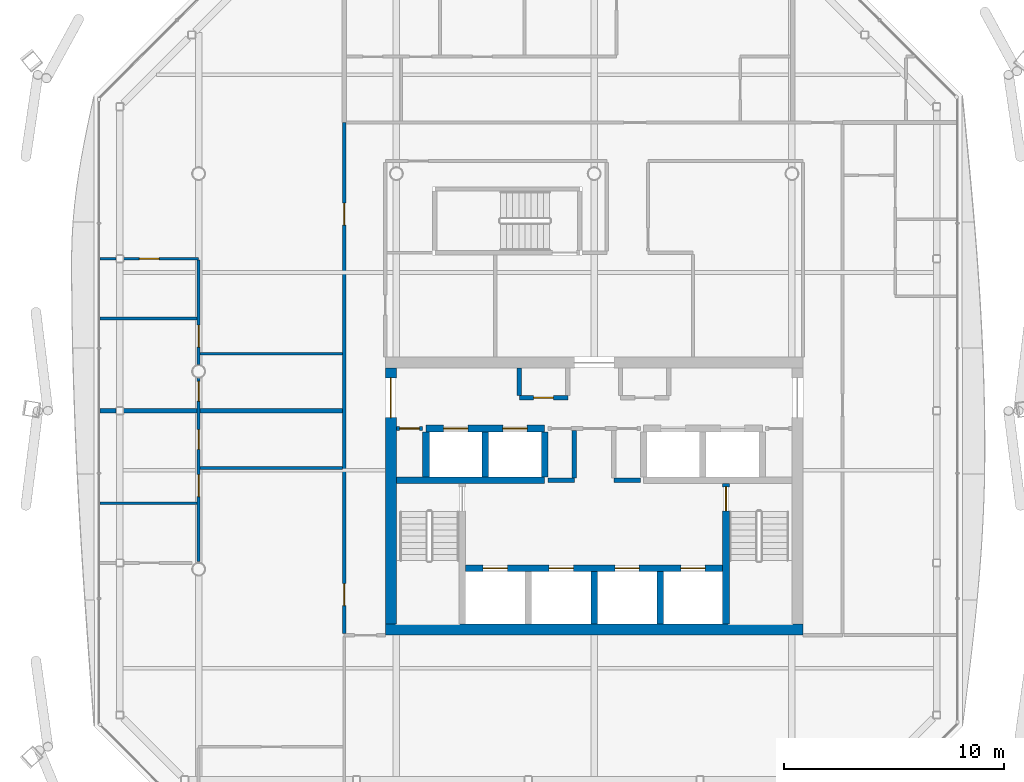
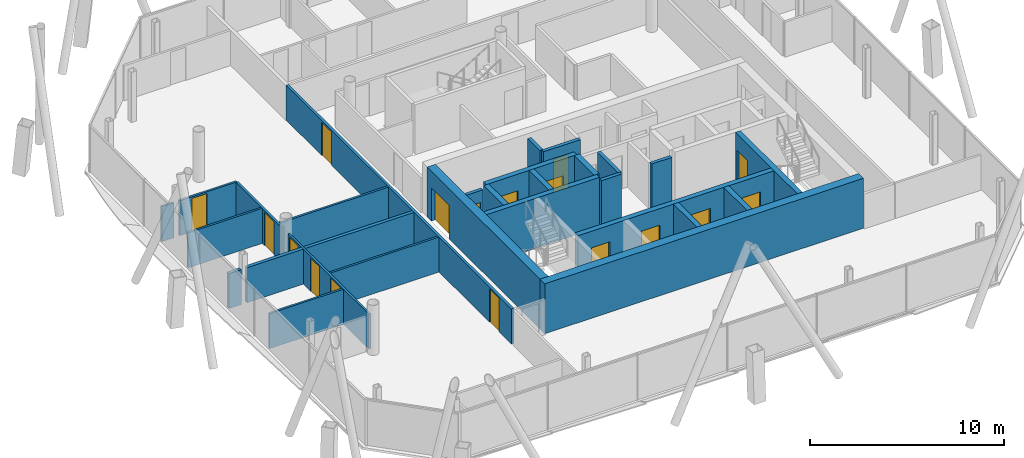
# One storey, part 14 of 20: 28 walls, 17 doors, 17 openings.
"""IFC4 building model written with IfcOpenShell, lengths in metres."""

from ifc_helpers import new_model, si_unit, direction, frame, frame_2d, origin, place, context, subcontext, project, spatial, rectangle, extrude, material, layer, layer_set, type_object, element, fill, save


model = new_model("IFC4")

# Units and contexts
model_context = context("Model", 3, precision=1e-05, world=origin(), true_north=direction((0.0, 1.0)))
body_context = subcontext(model_context, "Body", "Model", "MODEL_VIEW")
ifc_project = project(units=[si_unit("LENGTHUNIT", "METRE"), si_unit("AREAUNIT", "SQUARE_METRE"), si_unit("VOLUMEUNIT", "CUBIC_METRE"), si_unit("PLANEANGLEUNIT", "RADIAN"), si_unit("MASSUNIT", "GRAM", prefix="KILO")], contexts=[model_context])

# Site, building, storey
site_placement = place(None, origin())
site = spatial("IfcSite", under=ifc_project, at=site_placement, CompositionType="ELEMENT")
building_placement = place(site_placement, origin())
building = spatial("IfcBuilding", under=site, at=building_placement, Name="Tskaro Facet Tower", CompositionType="ELEMENT")
storey_placement = place(building_placement, frame((0.0, 0.0, 200.550048828125)))
storey = spatial("IfcBuildingStorey", under=building, at=storey_placement, Name="L51", CompositionType="ELEMENT", Elevation=200.550048828125)

# Wall, openings, doors
ifc_material_1 = material(Name="Concrete C60/75", Category="concrete")
ifc_layer_1 = layer(ifc_material_1, 0.300048828125, Name="Concrete C60/75")
ifc_layer_set_1 = layer_set([ifc_layer_1], Name="Concrete C60/75")
wall_type_1 = type_object("IfcWallType", Name="CORE-SHAFT", PredefinedType="SHEAR", material=ifc_layer_set_1)
wall_1_placement = place(storey_placement, frame((-5.85009765625, -8.949951171875, 0.0), z_axis=(0.0, 0.0, 1.0), x_axis=(1.0, 0.0, 0.0)))
wall_1 = element("IfcWall", 1, at=wall_1_placement, inside=storey, type_object=wall_type_1, Name="Shaft wall W005", PredefinedType="SHEAR", context=body_context, shape_type="SweptSolid", body=[
    extrude(rectangle(XDim=11.7001953125, YDim=0.300048828125, at=frame_2d((5.85009765625, 0.0))), origin(), (0.0, 0.0, 1.0), 3.14990234375),
])
opening_1_placement = place(wall_1_placement, frame((0.800048828125, 0.0, 0.0)))
opening_1 = element("IfcOpeningElement", 2, at=opening_1_placement, cuts=wall_1, Name="Opening LD-FF1", PredefinedType="OPENING", context=body_context, shape_type="SweptSolid", body=[
    extrude(rectangle(XDim=1.10009765625, YDim=2.10009765625, at=frame_2d((0.550048828125, 1.050048828125))), frame((0.0, 0.159912109375, 0.0), z_axis=(0.0, -1.0, 0.0), x_axis=(1.0, 0.0, 0.0)), (0.0, 0.0, 1.0), 0.320068359375),
])
opening_2_placement = place(wall_1_placement, frame((3.800048828125, 0.0, 0.0)))
opening_2 = element("IfcOpeningElement", 3, at=opening_2_placement, cuts=wall_1, Name="Opening LD-FF2", PredefinedType="OPENING", context=body_context, shape_type="SweptSolid", body=[
    extrude(rectangle(XDim=1.10009765625, YDim=2.10009765625, at=frame_2d((0.550048828125, 1.050048828125))), frame((0.0, 0.159912109375, 0.0), z_axis=(0.0, -1.0, 0.0), x_axis=(1.0, 0.0, 0.0)), (0.0, 0.0, 1.0), 0.320068359375),
])
opening_3_placement = place(wall_1_placement, frame((6.800048828125, 0.0, 0.0)))
opening_3 = element("IfcOpeningElement", 4, at=opening_3_placement, cuts=wall_1, Name="Opening LD-SV1", PredefinedType="OPENING", context=body_context, shape_type="SweptSolid", body=[
    extrude(rectangle(XDim=1.10009765625, YDim=2.10009765625, at=frame_2d((0.550048828125, 1.050048828125))), frame((0.0, 0.159912109375, 0.0), z_axis=(0.0, -1.0, 0.0), x_axis=(1.0, 0.0, 0.0)), (0.0, 0.0, 1.0), 0.320068359375),
])
opening_4_placement = place(wall_1_placement, frame((9.800048828125, 0.0, 0.0)))
opening_4 = element("IfcOpeningElement", 5, at=opening_4_placement, cuts=wall_1, Name="Opening LD-SV2", PredefinedType="OPENING", context=body_context, shape_type="SweptSolid", body=[
    extrude(rectangle(XDim=1.10009765625, YDim=2.10009765625, at=frame_2d((0.550048828125, 1.050048828125))), frame((0.0, 0.159912109375, 0.0), z_axis=(0.0, -1.0, 0.0), x_axis=(1.0, 0.0, 0.0)), (0.0, 0.0, 1.0), 0.320068359375),
])
ifc_material_2 = material(Name="Stainless steel", Category="steel")
door_type_1 = type_object("IfcDoorType", Name="D-LANDING", OperationType="NOTDEFINED", PredefinedType="DOOR", material=ifc_material_2)
door_1_placement = place(opening_1_placement, origin())
door_1 = element("IfcDoor", 6, at=door_1_placement, inside=storey, type_object=door_type_1, Name="Landing door FF1", OperationType="DOUBLE_DOOR_SLIDING", OverallHeight=2.10009765625, OverallWidth=1.10009765625, PredefinedType="DOOR", context=body_context, shape_type="SweptSolid", body=[
    extrude(rectangle(XDim=1.10009765625, YDim=2.10009765625, at=frame_2d((0.550048828125, 1.050048828125))), frame((0.0, 0.02490234375, 0.0), z_axis=(0.0, -1.0, 0.0), x_axis=(1.0, 0.0, 0.0)), (0.0, 0.0, 1.0), 0.050048828125),
])
fill(opening_1, door_1)
door_2_placement = place(opening_2_placement, origin())
door_2 = element("IfcDoor", 7, at=door_2_placement, inside=storey, type_object=door_type_1, Name="Landing door FF2", OperationType="DOUBLE_DOOR_SLIDING", OverallHeight=2.10009765625, OverallWidth=1.10009765625, PredefinedType="DOOR", context=body_context, shape_type="SweptSolid", body=[
    extrude(rectangle(XDim=1.10009765625, YDim=2.10009765625, at=frame_2d((0.550048828125, 1.050048828125))), frame((0.0, 0.02490234375, 0.0), z_axis=(0.0, -1.0, 0.0), x_axis=(1.0, 0.0, 0.0)), (0.0, 0.0, 1.0), 0.050048828125),
])
fill(opening_2, door_2)
door_3_placement = place(opening_3_placement, origin())
door_3 = element("IfcDoor", 8, at=door_3_placement, inside=storey, type_object=door_type_1, Name="Landing door SV1", OperationType="DOUBLE_DOOR_SLIDING", OverallHeight=2.10009765625, OverallWidth=1.10009765625, PredefinedType="DOOR", context=body_context, shape_type="SweptSolid", body=[
    extrude(rectangle(XDim=1.10009765625, YDim=2.10009765625, at=frame_2d((0.550048828125, 1.050048828125))), frame((0.0, 0.02490234375, 0.0), z_axis=(0.0, -1.0, 0.0), x_axis=(1.0, 0.0, 0.0)), (0.0, 0.0, 1.0), 0.050048828125),
])
fill(opening_3, door_3)
door_4_placement = place(opening_4_placement, origin())
door_4 = element("IfcDoor", 9, at=door_4_placement, inside=storey, type_object=door_type_1, Name="Landing door SV2", OperationType="DOUBLE_DOOR_SLIDING", OverallHeight=2.10009765625, OverallWidth=1.10009765625, PredefinedType="DOOR", context=body_context, shape_type="SweptSolid", body=[
    extrude(rectangle(XDim=1.10009765625, YDim=2.10009765625, at=frame_2d((0.550048828125, 1.050048828125))), frame((0.0, 0.02490234375, 0.0), z_axis=(0.0, -1.0, 0.0), x_axis=(1.0, 0.0, 0.0)), (0.0, 0.0, 1.0), 0.050048828125),
])
fill(opening_4, door_4)

# Wall
wall_2_placement = place(storey_placement, frame((-9.0, -4.949951171875, 0.0), z_axis=(0.0, 0.0, 1.0), x_axis=(1.0, 0.0, 0.0)))
element("IfcWall", 10, at=wall_2_placement, inside=storey, type_object=wall_type_1, Name="Shaft wall W009", PredefinedType="SHEAR", context=body_context, shape_type="SweptSolid", body=[
    extrude(rectangle(XDim=6.75, YDim=0.300048828125, at=frame_2d((3.375, 0.0))), origin(), (0.0, 0.0, 1.0), 3.14990234375),
])

# Wall, openings, doors
wall_3_placement = place(storey_placement, frame((-7.64990234375, -2.60009765625, 0.0), z_axis=(0.0, 0.0, 1.0), x_axis=(1.0, 0.0, 0.0)))
wall_3 = element("IfcWall", 11, at=wall_3_placement, inside=storey, type_object=wall_type_1, Name="Shaft wall W015", PredefinedType="SHEAR", context=body_context, shape_type="SweptSolid", body=[
    extrude(rectangle(XDim=5.39990234375, YDim=0.300048828125, at=frame_2d((2.699951171875, 0.0))), origin(), (0.0, 0.0, 1.0), 3.14990234375),
])
opening_5_placement = place(wall_3_placement, frame((0.800048828125, 0.0, 0.0)))
opening_5 = element("IfcOpeningElement", 12, at=opening_5_placement, cuts=wall_3, Name="Opening LD-HB1", PredefinedType="OPENING", context=body_context, shape_type="SweptSolid", body=[
    extrude(rectangle(XDim=1.10009765625, YDim=2.10009765625, at=frame_2d((0.550048828125, 1.050048828125))), frame((0.0, 0.159912109375, 0.0), z_axis=(0.0, -1.0, 0.0), x_axis=(1.0, 0.0, 0.0)), (0.0, 0.0, 1.0), 0.320068359375),
])
opening_6_placement = place(wall_3_placement, frame((3.5, 0.0, 0.0)))
opening_6 = element("IfcOpeningElement", 13, at=opening_6_placement, cuts=wall_3, Name="Opening LD-HB2", PredefinedType="OPENING", context=body_context, shape_type="SweptSolid", body=[
    extrude(rectangle(XDim=1.10009765625, YDim=2.10009765625, at=frame_2d((0.550048828125, 1.050048828125))), frame((0.0, 0.159912109375, 0.0), z_axis=(0.0, -1.0, 0.0), x_axis=(1.0, 0.0, 0.0)), (0.0, 0.0, 1.0), 0.320068359375),
])
door_5_placement = place(opening_5_placement, origin())
door_5 = element("IfcDoor", 14, at=door_5_placement, inside=storey, type_object=door_type_1, Name="Landing door HB1", OperationType="DOUBLE_DOOR_SLIDING", OverallHeight=2.10009765625, OverallWidth=1.10009765625, PredefinedType="DOOR", context=body_context, shape_type="SweptSolid", body=[
    extrude(rectangle(XDim=1.10009765625, YDim=2.10009765625, at=frame_2d((0.550048828125, 1.050048828125))), frame((0.0, 0.02490234375, 0.0), z_axis=(0.0, -1.0, 0.0), x_axis=(1.0, 0.0, 0.0)), (0.0, 0.0, 1.0), 0.050048828125),
])
fill(opening_5, door_5)
door_6_placement = place(opening_6_placement, origin())
door_6 = element("IfcDoor", 15, at=door_6_placement, inside=storey, type_object=door_type_1, Name="Landing door HB2", OperationType="DOUBLE_DOOR_SLIDING", OverallHeight=2.10009765625, OverallWidth=1.10009765625, PredefinedType="DOOR", context=body_context, shape_type="SweptSolid", body=[
    extrude(rectangle(XDim=1.10009765625, YDim=2.10009765625, at=frame_2d((0.550048828125, 1.050048828125))), frame((0.0, 0.02490234375, 0.0), z_axis=(0.0, -1.0, 0.0), x_axis=(1.0, 0.0, 0.0)), (0.0, 0.0, 1.0), 0.050048828125),
])
fill(opening_6, door_6)

# Walls
for number, where, z_axis, x_axis, name in (
    (16, (-7.64990234375, -4.800048828125, 0.0), (0.0, 0.0, 1.0), (0.0, 1.0, 0.0), "Shaft wall W051"),
    (17, (-4.949951171875, -4.800048828125, 0.0), (0.0, 0.0, 1.0), (0.0, 1.0, 0.0), "Shaft wall W056"),
    (18, (-2.25, -4.800048828125, 0.0), (0.0, 0.0, 1.0), (0.0, 1.0, 0.0), "Shaft wall W061"),
):
    element("IfcWall", number, at=place(storey_placement, frame(where, z_axis=z_axis, x_axis=x_axis)), inside=storey, type_object=wall_type_1, Name=name, PredefinedType="SHEAR", context=body_context, shape_type="SweptSolid", body=[
        extrude(rectangle(XDim=2.050048828125, YDim=0.300048828125, at=frame_2d((1.02490234375, 0.0))), origin(), (0.0, 0.0, 1.0), 3.14990234375),
    ])
for number, where, z_axis, x_axis, name in (
    (19, (0.0, -11.5, 0.0), (0.0, 0.0, 1.0), (0.0, 1.0, 0.0), "Shaft wall W065"),
    (20, (3.0, -11.5, 0.0), (0.0, 0.0, 1.0), (0.0, 1.0, 0.0), "Shaft wall W073"),
):
    element("IfcWall", number, at=place(storey_placement, frame(where, z_axis=z_axis, x_axis=x_axis)), inside=storey, type_object=wall_type_1, Name=name, PredefinedType="SHEAR", context=body_context, shape_type="SweptSolid", body=[
        extrude(rectangle(XDim=2.39990234375, YDim=0.300048828125, at=frame_2d((1.199951171875, 0.0))), origin(), (0.0, 0.0, 1.0), 3.14990234375),
    ])

# Wall, opening, door
wall_4_placement = place(storey_placement, frame((6.0, -5.10009765625, 0.0), z_axis=(0.0, 0.0, 1.0), x_axis=(0.0, -1.0, 0.0)))
wall_4 = element("IfcWall", 21, at=wall_4_placement, inside=storey, type_object=wall_type_1, Name="Shaft wall W077", PredefinedType="SHEAR", context=body_context, shape_type="SweptSolid", body=[
    extrude(rectangle(XDim=6.39990234375, YDim=0.300048828125, at=frame_2d((3.199951171875, 0.0))), origin(), (0.0, 0.0, 1.0), 3.14990234375),
])
opening_7_placement = place(wall_4_placement, frame((0.14990234375, 0.0, 0.0)))
opening_7 = element("IfcOpeningElement", 22, at=opening_7_placement, cuts=wall_4, Name="Opening ST-2-D1", PredefinedType="OPENING", context=body_context, shape_type="SweptSolid", body=[
    extrude(rectangle(XDim=1.10009765625, YDim=2.10009765625, at=frame_2d((0.550048828125, 1.050048828125))), frame((0.0, 0.159912109375, 0.0), z_axis=(0.0, -1.0, 0.0), x_axis=(1.0, 0.0, 0.0)), (0.0, 0.0, 1.0), 0.320068359375),
])
ifc_material_3 = material(Name="Steel", Category="steel")
door_type_2 = type_object("IfcDoorType", Name="D-STAIR", OperationType="NOTDEFINED", PredefinedType="DOOR", material=ifc_material_3)
door_7_placement = place(opening_7_placement, origin())
door_7 = element("IfcDoor", 23, at=door_7_placement, inside=storey, type_object=door_type_2, Name="Stair door 2", OperationType="SINGLE_SWING_RIGHT", OverallHeight=2.10009765625, OverallWidth=1.10009765625, PredefinedType="DOOR", context=body_context, shape_type="SweptSolid", body=[
    extrude(rectangle(XDim=1.10009765625, YDim=2.10009765625, at=frame_2d((0.550048828125, 1.050048828125))), frame((0.0, 0.02490234375, 0.0), z_axis=(0.0, -1.0, 0.0), x_axis=(1.0, 0.0, 0.0)), (0.0, 0.0, 1.0), 0.050048828125),
])
fill(opening_7, door_7)

# Walls
ifc_material_4 = material(Name="Concrete C20/25", Category="concrete")
ifc_layer_2 = layer(ifc_material_4, 0.199951171875, Name="Concrete C20/25")
ifc_layer_set_2 = layer_set([ifc_layer_2], Name="Concrete C20/25")
wall_type_2 = type_object("IfcWallType", Name="CORE-WALL", PredefinedType="SOLIDWALL", material=ifc_layer_set_2)
for number, where, z_axis, x_axis, name in (
    (24, (-2.10009765625, -4.949951171875, 0.0), (0.0, 0.0, 1.0), (1.0, 0.0, 0.0), "Core room wall W010"),
    (25, (0.89990234375, -4.949951171875, 0.0), (0.0, 0.0, 1.0), (1.0, 0.0, 0.0), "Core room wall W011"),
):
    element("IfcWall", number, at=place(storey_placement, frame(where, z_axis=z_axis, x_axis=x_axis)), inside=storey, type_object=wall_type_2, Name=name, PredefinedType="SOLIDWALL", context=body_context, shape_type="SweptSolid", body=[
        extrude(rectangle(XDim=1.2001953125, YDim=0.199951171875, at=frame_2d((0.60009765625, 0.0))), origin(), (0.0, 0.0, 1.0), 2.849853515625),
    ])

# Wall, opening, door
wall_5_placement = place(storey_placement, frame((-7.800048828125, -2.60009765625, 0.0), z_axis=(0.0, 0.0, 1.0), x_axis=(-1.0, 0.0, 0.0)))
wall_5 = element("IfcWall", 26, at=wall_5_placement, inside=storey, type_object=wall_type_2, Name="Core room wall W014", PredefinedType="SOLIDWALL", context=body_context, shape_type="SweptSolid", body=[
    extrude(rectangle(XDim=1.199951171875, YDim=0.199951171875, at=frame_2d((0.60009765625, 0.0))), origin(), (0.0, 0.0, 1.0), 2.849853515625),
])
opening_8_placement = place(wall_5_placement, frame((0.14990234375, 0.0, 0.0)))
opening_8 = element("IfcOpeningElement", 27, at=opening_8_placement, cuts=wall_5, Name="Opening T15-D07", PredefinedType="OPENING", context=body_context, shape_type="SweptSolid", body=[
    extrude(rectangle(XDim=0.89990234375, YDim=2.10009765625, at=frame_2d((0.449951171875, 1.050048828125))), frame((0.0, 0.10986328125, 0.0), z_axis=(0.0, -1.0, 0.0), x_axis=(1.0, 0.0, 0.0)), (0.0, 0.0, 1.0), 0.219970703125),
])
ifc_material_5 = material(Name="Timber", Category="wood")
door_type_3 = type_object("IfcDoorType", Name="D-ROOM", OperationType="NOTDEFINED", PredefinedType="DOOR", material=ifc_material_5)
door_8_placement = place(opening_8_placement, origin())
door_8 = element("IfcDoor", 28, at=door_8_placement, inside=storey, type_object=door_type_3, Name="Door T15-D07", OperationType="SINGLE_SWING_RIGHT", OverallHeight=2.10009765625, OverallWidth=0.89990234375, PredefinedType="DOOR", context=body_context, shape_type="SweptSolid", body=[
    extrude(rectangle(XDim=0.89990234375, YDim=2.10009765625, at=frame_2d((0.449951171875, 1.050048828125))), frame((0.0, 0.02490234375, 0.0), z_axis=(0.0, -1.0, 0.0), x_axis=(1.0, 0.0, 0.0)), (0.0, 0.0, 1.0), 0.050048828125),
])
fill(opening_8, door_8)

wall_6_placement = place(storey_placement, frame((-3.39990234375, -1.199951171875, 0.0), z_axis=(0.0, 0.0, 1.0), x_axis=(1.0, 0.0, 0.0)))
wall_6 = element("IfcWall", 29, at=wall_6_placement, inside=storey, type_object=wall_type_2, Name="Core room wall W021", PredefinedType="SOLIDWALL", context=body_context, shape_type="SweptSolid", body=[
    extrude(rectangle(XDim=2.199951171875, YDim=0.199951171875, at=frame_2d((1.10009765625, 0.0))), origin(), (0.0, 0.0, 1.0), 2.849853515625),
])
opening_9_placement = place(wall_6_placement, frame((0.64990234375, 0.0, 0.0)))
opening_9 = element("IfcOpeningElement", 30, at=opening_9_placement, cuts=wall_6, Name="Opening T15-D13", PredefinedType="OPENING", context=body_context, shape_type="SweptSolid", body=[
    extrude(rectangle(XDim=0.89990234375, YDim=2.10009765625, at=frame_2d((0.449951171875, 1.050048828125))), frame((0.0, 0.10986328125, 0.0), z_axis=(0.0, -1.0, 0.0), x_axis=(1.0, 0.0, 0.0)), (0.0, 0.0, 1.0), 0.219970703125),
])
door_9_placement = place(opening_9_placement, origin())
door_9 = element("IfcDoor", 31, at=door_9_placement, inside=storey, type_object=door_type_3, Name="Door T15-D13", OperationType="SINGLE_SWING_LEFT", OverallHeight=2.10009765625, OverallWidth=0.89990234375, PredefinedType="DOOR", context=body_context, shape_type="SweptSolid", body=[
    extrude(rectangle(XDim=0.89990234375, YDim=2.10009765625, at=frame_2d((0.449951171875, 1.050048828125))), frame((0.0, 0.02490234375, 0.0), z_axis=(0.0, -1.0, 0.0), x_axis=(1.0, 0.0, 0.0)), (0.0, 0.0, 1.0), 0.050048828125),
])
fill(opening_9, door_9)

# Walls
wall_7_placement = place(storey_placement, frame((-3.39990234375, -1.10009765625, 0.0), z_axis=(0.0, 0.0, 1.0), x_axis=(0.0, 1.0, 0.0)))
element("IfcWall", 32, at=wall_7_placement, inside=storey, type_object=wall_type_2, Name="Core room wall W058", PredefinedType="SOLIDWALL", context=body_context, shape_type="SweptSolid", body=[
    extrude(rectangle(XDim=1.25, YDim=0.199951171875, at=frame_2d((0.625, 0.0))), origin(), (0.0, 0.0, 1.0), 2.849853515625),
])
wall_8_placement = place(storey_placement, frame((-0.89990234375, -4.85009765625, 0.0), z_axis=(0.0, 0.0, 1.0), x_axis=(0.0, 1.0, 0.0)))
element("IfcWall", 33, at=wall_8_placement, inside=storey, type_object=wall_type_2, Name="Core room wall W063", PredefinedType="SOLIDWALL", context=body_context, shape_type="SweptSolid", body=[
    extrude(rectangle(XDim=2.150146484375, YDim=0.199951171875, at=frame_2d((1.0751953125, 0.0))), origin(), (0.0, 0.0, 1.0), 2.849853515625),
])
ifc_material_6 = material(Name="Concrete C40/50", Category="concrete")
ifc_layer_3 = layer(ifc_material_6, 0.5, Name="Concrete C40/50")
ifc_layer_set_3 = layer_set([ifc_layer_3], Name="Concrete C40/50")
wall_type_3 = type_object("IfcWallType", Name="Core wall 500", PredefinedType="SHEAR", material=ifc_layer_set_3)
wall_9_placement = place(storey_placement, frame((-9.5, -11.75, 0.0), z_axis=(0.0, 0.0, 1.0), x_axis=(1.0, 0.0, 0.0)))
element("IfcWall", 34, at=wall_9_placement, inside=storey, type_object=wall_type_3, Name="Core wall CW-Z3S", PredefinedType="SHEAR", context=body_context, shape_type="SweptSolid", body=[
    extrude(rectangle(XDim=19.0, YDim=0.5, at=frame_2d((9.5, 0.0))), origin(), (0.0, 0.0, 1.0), 3.14990234375),
])

# Wall, opening, door
wall_10_placement = place(storey_placement, frame((-9.25, -11.5, 0.0), z_axis=(0.0, 0.0, 1.0), x_axis=(0.0, 1.0, 0.0)))
wall_10 = element("IfcWall", 35, at=wall_10_placement, inside=storey, type_object=wall_type_3, Name="Core wall CW-Z3W", PredefinedType="SHEAR", context=body_context, shape_type="SweptSolid", body=[
    extrude(rectangle(XDim=11.64990234375, YDim=0.5, at=frame_2d((5.824951171875, 0.0))), origin(), (0.0, 0.0, 1.0), 3.14990234375),
])
opening_10_placement = place(wall_10_placement, frame((9.39990234375, 0.0, 0.0)))
opening_10 = element("IfcOpeningElement", 36, at=opening_10_placement, cuts=wall_10, Name="Opening T15-D12", PredefinedType="OPENING", context=body_context, shape_type="SweptSolid", body=[
    extrude(rectangle(XDim=1.800048828125, YDim=2.10009765625, at=frame_2d((0.89990234375, 1.050048828125))), frame((0.0, 0.260009765625, 0.0), z_axis=(0.0, -1.0, 0.0), x_axis=(1.0, 0.0, 0.0)), (0.0, 0.0, 1.0), 0.52001953125),
])
door_type_4 = type_object("IfcDoorType", Name="D-CORE-PAIR", OperationType="NOTDEFINED", PredefinedType="DOOR", material=ifc_material_3)
door_10_placement = place(opening_10_placement, origin())
door_10 = element("IfcDoor", 37, at=door_10_placement, inside=storey, type_object=door_type_4, Name="Door T15-D12", OperationType="DOUBLE_DOOR_SINGLE_SWING", OverallHeight=2.10009765625, OverallWidth=1.800048828125, PredefinedType="DOOR", context=body_context, shape_type="SweptSolid", body=[
    extrude(rectangle(XDim=1.800048828125, YDim=2.10009765625, at=frame_2d((0.89990234375, 1.050048828125))), frame((0.0, 0.02490234375, 0.0), z_axis=(0.0, -1.0, 0.0), x_axis=(1.0, 0.0, 0.0)), (0.0, 0.0, 1.0), 0.050048828125),
])
fill(opening_10, door_10)

# Walls
ifc_material_7 = material(Name="Gypsum board on steel studs", Category="steel")
ifc_layer_4 = layer(ifc_material_7, 0.125, Name="Gypsum board on steel studs")
ifc_layer_set_4 = layer_set([ifc_layer_4], Name="Gypsum board on steel studs")
wall_type_4 = type_object("IfcWallType", Name="PART", PredefinedType="PARTITIONING", material=ifc_layer_set_4)
wall_11_placement = place(storey_placement, frame((-22.48291015625, -5.9951171875, 0.0), z_axis=(0.0, 0.0, 1.0), x_axis=(1.0, 0.0, 0.0)))
element("IfcWall", 38, at=wall_11_placement, inside=storey, type_object=wall_type_4, Name="Partition W008", PredefinedType="PARTITIONING", context=body_context, shape_type="SweptSolid", body=[
    extrude(rectangle(XDim=4.42041015625, YDim=0.125, at=frame_2d((2.210205078125, 0.0))), origin(), (0.0, 0.0, 1.0), 2.2099609375),
])
for number, where, z_axis, x_axis, name in (
    (39, (-17.9375, -4.39501953125, 0.0), (0.0, 0.0, 1.0), (1.0, 0.0, 0.0), "Partition W013"),
    (40, (-17.9375, 0.804931640625, 0.0), (0.0, 0.0, 1.0), (1.0, 0.0, 0.0), "Partition W023"),
):
    element("IfcWall", number, at=place(storey_placement, frame(where, z_axis=z_axis, x_axis=x_axis)), inside=storey, type_object=wall_type_4, Name=name, PredefinedType="PARTITIONING", context=body_context, shape_type="SweptSolid", body=[
        extrude(rectangle(XDim=6.487548828125, YDim=0.125, at=frame_2d((3.24365234375, 0.0))), origin(), (0.0, 0.0, 1.0), 2.2099609375),
    ])
wall_12_placement = place(storey_placement, frame((-22.48291015625, 2.405029296875, 0.0), z_axis=(0.0, 0.0, 1.0), x_axis=(1.0, 0.0, 0.0)))
element("IfcWall", 41, at=wall_12_placement, inside=storey, type_object=wall_type_4, Name="Partition W024", PredefinedType="PARTITIONING", context=body_context, shape_type="SweptSolid", body=[
    extrude(rectangle(XDim=4.42041015625, YDim=0.125, at=frame_2d((2.210205078125, 0.0))), origin(), (0.0, 0.0, 1.0), 2.2099609375),
])
wall_13_placement = place(storey_placement, frame((-22.48291015625, 5.125, 0.0), z_axis=(0.0, 0.0, 1.0), x_axis=(1.0, 0.0, 0.0)))
element("IfcWall", 42, at=wall_13_placement, inside=storey, type_object=wall_type_4, Name="Partition W026", PredefinedType="PARTITIONING", context=body_context, shape_type="SweptSolid", body=[
    extrude(rectangle(XDim=0.724853515625, YDim=0.125, at=frame_2d((0.3623046875, 0.0))), origin(), (0.0, 0.0, 1.0), 2.2099609375),
])

# Wall, opening, door
wall_14_placement = place(storey_placement, frame((-18.0, 5.125, 0.0), z_axis=(0.0, 0.0, 1.0), x_axis=(-1.0, 0.0, 0.0)))
wall_14 = element("IfcWall", 43, at=wall_14_placement, inside=storey, type_object=wall_type_4, Name="Partition W027", PredefinedType="PARTITIONING", context=body_context, shape_type="SweptSolid", body=[
    extrude(rectangle(XDim=3.407958984375, YDim=0.125, at=frame_2d((1.7041015625, 0.0))), origin(), (0.0, 0.0, 1.0), 2.2099609375),
])
opening_11_placement = place(wall_14_placement, frame((1.79150390625, 0.0, 0.0)))
opening_11 = element("IfcOpeningElement", 44, at=opening_11_placement, cuts=wall_14, Name="Opening T15-D20", PredefinedType="OPENING", context=body_context, shape_type="SweptSolid", body=[
    extrude(rectangle(XDim=0.89990234375, YDim=2.10009765625, at=frame_2d((0.449951171875, 1.050048828125))), frame((0.0, 0.072509765625, 0.0), z_axis=(0.0, -1.0, 0.0), x_axis=(1.0, 0.0, 0.0)), (0.0, 0.0, 1.0), 0.14501953125),
])
door_11_placement = place(opening_11_placement, origin())
door_11 = element("IfcDoor", 45, at=door_11_placement, inside=storey, type_object=door_type_3, Name="Door T15-D20", OperationType="SINGLE_SWING_RIGHT", OverallHeight=2.10009765625, OverallWidth=0.89990234375, PredefinedType="DOOR", context=body_context, shape_type="SweptSolid", body=[
    extrude(rectangle(XDim=0.89990234375, YDim=2.10009765625, at=frame_2d((0.449951171875, 1.050048828125))), frame((0.0, 0.02490234375, 0.0), z_axis=(0.0, -1.0, 0.0), x_axis=(1.0, 0.0, 0.0)), (0.0, 0.0, 1.0), 0.050048828125),
])
fill(opening_11, door_11)

# Wall, openings, doors
wall_15_placement = place(storey_placement, frame((-18.0, -8.652587890625, 0.0), z_axis=(0.0, 0.0, 1.0), x_axis=(0.0, 1.0, 0.0)))
wall_15 = element("IfcWall", 46, at=wall_15_placement, inside=storey, type_object=wall_type_4, Name="Partition W044", PredefinedType="PARTITIONING", context=body_context, shape_type="SweptSolid", body=[
    extrude(rectangle(XDim=8.34765625, YDim=0.125, at=frame_2d((4.173828125, 0.0))), origin(), (0.0, 0.0, 1.0), 2.2099609375),
])
opening_12_placement = place(wall_15_placement, frame((2.95751953125, 0.0, 0.0)))
opening_12 = element("IfcOpeningElement", 47, at=opening_12_placement, cuts=wall_15, Name="Opening T15-D05", PredefinedType="OPENING", context=body_context, shape_type="SweptSolid", body=[
    extrude(rectangle(XDim=1.0, YDim=2.10009765625, at=frame_2d((0.5, 1.050048828125))), frame((0.0, 0.072509765625, 0.0), z_axis=(0.0, -1.0, 0.0), x_axis=(1.0, 0.0, 0.0)), (0.0, 0.0, 1.0), 0.14501953125),
])
opening_13_placement = place(wall_15_placement, frame((5.107421875, 0.0, 0.0)))
opening_13 = element("IfcOpeningElement", 48, at=opening_13_placement, cuts=wall_15, Name="Opening T15-D06", PredefinedType="OPENING", context=body_context, shape_type="SweptSolid", body=[
    extrude(rectangle(XDim=0.89990234375, YDim=2.10009765625, at=frame_2d((0.449951171875, 1.050048828125))), frame((0.0, 0.072509765625, 0.0), z_axis=(0.0, -1.0, 0.0), x_axis=(1.0, 0.0, 0.0)), (0.0, 0.0, 1.0), 0.14501953125),
])
opening_14_placement = place(wall_15_placement, frame((7.297607421875, 0.0, 0.0)))
opening_14 = element("IfcOpeningElement", 49, at=opening_14_placement, cuts=wall_15, Name="Opening T15-D16", PredefinedType="OPENING", context=body_context, shape_type="SweptSolid", body=[
    extrude(rectangle(XDim=0.89990234375, YDim=2.10009765625, at=frame_2d((0.449951171875, 1.050048828125))), frame((0.0, 0.072509765625, 0.0), z_axis=(0.0, -1.0, 0.0), x_axis=(1.0, 0.0, 0.0)), (0.0, 0.0, 1.0), 0.14501953125),
])
door_12_placement = place(opening_13_placement, origin())
door_12 = element("IfcDoor", 50, at=door_12_placement, inside=storey, type_object=door_type_3, Name="Door T15-D06", OperationType="SINGLE_SWING_LEFT", OverallHeight=2.10009765625, OverallWidth=0.89990234375, PredefinedType="DOOR", context=body_context, shape_type="SweptSolid", body=[
    extrude(rectangle(XDim=0.89990234375, YDim=2.10009765625, at=frame_2d((0.449951171875, 1.050048828125))), frame((0.0, 0.02490234375, 0.0), z_axis=(0.0, -1.0, 0.0), x_axis=(1.0, 0.0, 0.0)), (0.0, 0.0, 1.0), 0.050048828125),
])
fill(opening_13, door_12)
door_13_placement = place(opening_14_placement, origin())
door_13 = element("IfcDoor", 51, at=door_13_placement, inside=storey, type_object=door_type_3, Name="Door T15-D16", OperationType="SINGLE_SWING_LEFT", OverallHeight=2.10009765625, OverallWidth=0.89990234375, PredefinedType="DOOR", context=body_context, shape_type="SweptSolid", body=[
    extrude(rectangle(XDim=0.89990234375, YDim=2.10009765625, at=frame_2d((0.449951171875, 1.050048828125))), frame((0.0, 0.02490234375, 0.0), z_axis=(0.0, -1.0, 0.0), x_axis=(1.0, 0.0, 0.0)), (0.0, 0.0, 1.0), 0.050048828125),
])
fill(opening_14, door_13)
door_type_5 = type_object("IfcDoorType", Name="D-ROOM-WIDE", OperationType="NOTDEFINED", PredefinedType="DOOR", material=ifc_material_5)
door_14_placement = place(opening_12_placement, origin())
door_14 = element("IfcDoor", 52, at=door_14_placement, inside=storey, type_object=door_type_5, Name="Door T15-D05", OperationType="SINGLE_SWING_LEFT", OverallHeight=2.10009765625, OverallWidth=1.0, PredefinedType="DOOR", context=body_context, shape_type="SweptSolid", body=[
    extrude(rectangle(XDim=1.0, YDim=2.10009765625, at=frame_2d((0.5, 1.050048828125))), frame((0.0, 0.02490234375, 0.0), z_axis=(0.0, -1.0, 0.0), x_axis=(1.0, 0.0, 0.0)), (0.0, 0.0, 1.0), 0.050048828125),
])
fill(opening_12, door_14)

# Wall, opening, door
wall_16_placement = place(storey_placement, frame((-18.0, 0.304931640625, 0.0), z_axis=(0.0, 0.0, 1.0), x_axis=(0.0, 1.0, 0.0)))
wall_16 = element("IfcWall", 53, at=wall_16_placement, inside=storey, type_object=wall_type_4, Name="Partition W045", PredefinedType="PARTITIONING", context=body_context, shape_type="SweptSolid", body=[
    extrude(rectangle(XDim=4.757568359375, YDim=0.125, at=frame_2d((2.37890625, 0.0))), origin(), (0.0, 0.0, 1.0), 2.2099609375),
])
opening_15_placement = place(wall_16_placement, frame((0.800048828125, 0.0, 0.0)))
opening_15 = element("IfcOpeningElement", 54, at=opening_15_placement, cuts=wall_16, Name="Opening T15-D18", PredefinedType="OPENING", context=body_context, shape_type="SweptSolid", body=[
    extrude(rectangle(XDim=1.0, YDim=2.10009765625, at=frame_2d((0.5, 1.050048828125))), frame((0.0, 0.072509765625, 0.0), z_axis=(0.0, -1.0, 0.0), x_axis=(1.0, 0.0, 0.0)), (0.0, 0.0, 1.0), 0.14501953125),
])
door_15_placement = place(opening_15_placement, origin())
door_15 = element("IfcDoor", 55, at=door_15_placement, inside=storey, type_object=door_type_5, Name="Door T15-D18", OperationType="SINGLE_SWING_RIGHT", OverallHeight=2.10009765625, OverallWidth=1.0, PredefinedType="DOOR", context=body_context, shape_type="SweptSolid", body=[
    extrude(rectangle(XDim=1.0, YDim=2.10009765625, at=frame_2d((0.5, 1.050048828125))), frame((0.0, 0.02490234375, 0.0), z_axis=(0.0, -1.0, 0.0), x_axis=(1.0, 0.0, 0.0)), (0.0, 0.0, 1.0), 0.050048828125),
])
fill(opening_15, door_15)

# Wall, openings, doors
ifc_layer_5 = layer(ifc_material_7, 0.14990234375, Name="Gypsum board on steel studs")
ifc_layer_set_5 = layer_set([ifc_layer_5], Name="Gypsum board on steel studs")
wall_type_5 = type_object("IfcWallType", Name="PART-CORR", PredefinedType="PARTITIONING", material=ifc_layer_set_5)
wall_17_placement = place(storey_placement, frame((-11.375, -11.925048828125, 0.0), z_axis=(0.0, 0.0, 1.0), x_axis=(0.0, 1.0, 0.0)))
wall_17 = element("IfcWall", 56, at=wall_17_placement, inside=storey, type_object=wall_type_5, Name="Corridor wall W047", PredefinedType="PARTITIONING", context=body_context, shape_type="SweptSolid", body=[
    extrude(rectangle(XDim=23.25, YDim=0.14990234375, at=frame_2d((11.625, 0.0))), origin(), (0.0, 0.0, 1.0), 2.2099609375),
])
opening_16_placement = place(wall_17_placement, frame((1.262451171875, 0.0, 0.0)))
opening_16 = element("IfcOpeningElement", 57, at=opening_16_placement, cuts=wall_17, Name="Opening T15-D03", PredefinedType="OPENING", context=body_context, shape_type="SweptSolid", body=[
    extrude(rectangle(XDim=1.0, YDim=2.10009765625, at=frame_2d((0.5, 1.050048828125))), frame((0.0, 0.0849609375, 0.0), z_axis=(0.0, -1.0, 0.0), x_axis=(1.0, 0.0, 0.0)), (0.0, 0.0, 1.0), 0.169921875),
])
opening_17_placement = place(wall_17_placement, frame((18.58251953125, 0.0, 0.0)))
opening_17 = element("IfcOpeningElement", 58, at=opening_17_placement, cuts=wall_17, Name="Opening T15-D23", PredefinedType="OPENING", context=body_context, shape_type="SweptSolid", body=[
    extrude(rectangle(XDim=1.0, YDim=2.10009765625, at=frame_2d((0.5, 1.050048828125))), frame((0.0, 0.0849609375, 0.0), z_axis=(0.0, -1.0, 0.0), x_axis=(1.0, 0.0, 0.0)), (0.0, 0.0, 1.0), 0.169921875),
])
door_type_6 = type_object("IfcDoorType", Name="D-FLAT-ENTRY", OperationType="NOTDEFINED", PredefinedType="DOOR", material=ifc_material_5)
door_16_placement = place(opening_16_placement, origin())
door_16 = element("IfcDoor", 59, at=door_16_placement, inside=storey, type_object=door_type_6, Name="Door T15-D03", OperationType="SINGLE_SWING_LEFT", OverallHeight=2.10009765625, OverallWidth=1.0, PredefinedType="DOOR", context=body_context, shape_type="SweptSolid", body=[
    extrude(rectangle(XDim=1.0, YDim=2.10009765625, at=frame_2d((0.5, 1.050048828125))), frame((0.0, 0.02490234375, 0.0), z_axis=(0.0, -1.0, 0.0), x_axis=(1.0, 0.0, 0.0)), (0.0, 0.0, 1.0), 0.050048828125),
])
fill(opening_16, door_16)
door_17_placement = place(opening_17_placement, origin())
door_17 = element("IfcDoor", 60, at=door_17_placement, inside=storey, type_object=door_type_6, Name="Door T15-D23", OperationType="SINGLE_SWING_LEFT", OverallHeight=2.10009765625, OverallWidth=1.0, PredefinedType="DOOR", context=body_context, shape_type="SweptSolid", body=[
    extrude(rectangle(XDim=1.0, YDim=2.10009765625, at=frame_2d((0.5, 1.050048828125))), frame((0.0, 0.02490234375, 0.0), z_axis=(0.0, -1.0, 0.0), x_axis=(1.0, 0.0, 0.0)), (0.0, 0.0, 1.0), 0.050048828125),
])
fill(opening_17, door_17)

# Walls
ifc_layer_6 = layer(ifc_material_7, 0.199951171875, Name="Gypsum board on steel studs")
ifc_layer_set_6 = layer_set([ifc_layer_6], Name="Gypsum board on steel studs")
wall_type_6 = type_object("IfcWallType", Name="PART-DEMISING", PredefinedType="PARTITIONING", material=ifc_layer_set_6)
wall_18_placement = place(storey_placement, frame((-22.48291015625, -1.794921875, 0.0), z_axis=(0.0, 0.0, 1.0), x_axis=(1.0, 0.0, 0.0)))
element("IfcWall", 61, at=wall_18_placement, inside=storey, type_object=wall_type_6, Name="Guest room wall W019", PredefinedType="PARTITIONING", context=body_context, shape_type="SweptSolid", body=[
    extrude(rectangle(XDim=0.724853515625, YDim=0.199951171875, at=frame_2d((0.3623046875, 0.0))), origin(), (0.0, 0.0, 1.0), 2.2099609375),
])
wall_19_placement = place(storey_placement, frame((-21.407958984375, -1.794921875, 0.0), z_axis=(0.0, 0.0, 1.0), x_axis=(1.0, 0.0, 0.0)))
element("IfcWall", 62, at=wall_19_placement, inside=storey, type_object=wall_type_6, Name="Guest room wall W020", PredefinedType="PARTITIONING", context=body_context, shape_type="SweptSolid", body=[
    extrude(rectangle(XDim=9.9580078125, YDim=0.199951171875, at=frame_2d((4.97900390625, 0.0))), origin(), (0.0, 0.0, 1.0), 2.2099609375),
])

save(model, "model.ifc")
